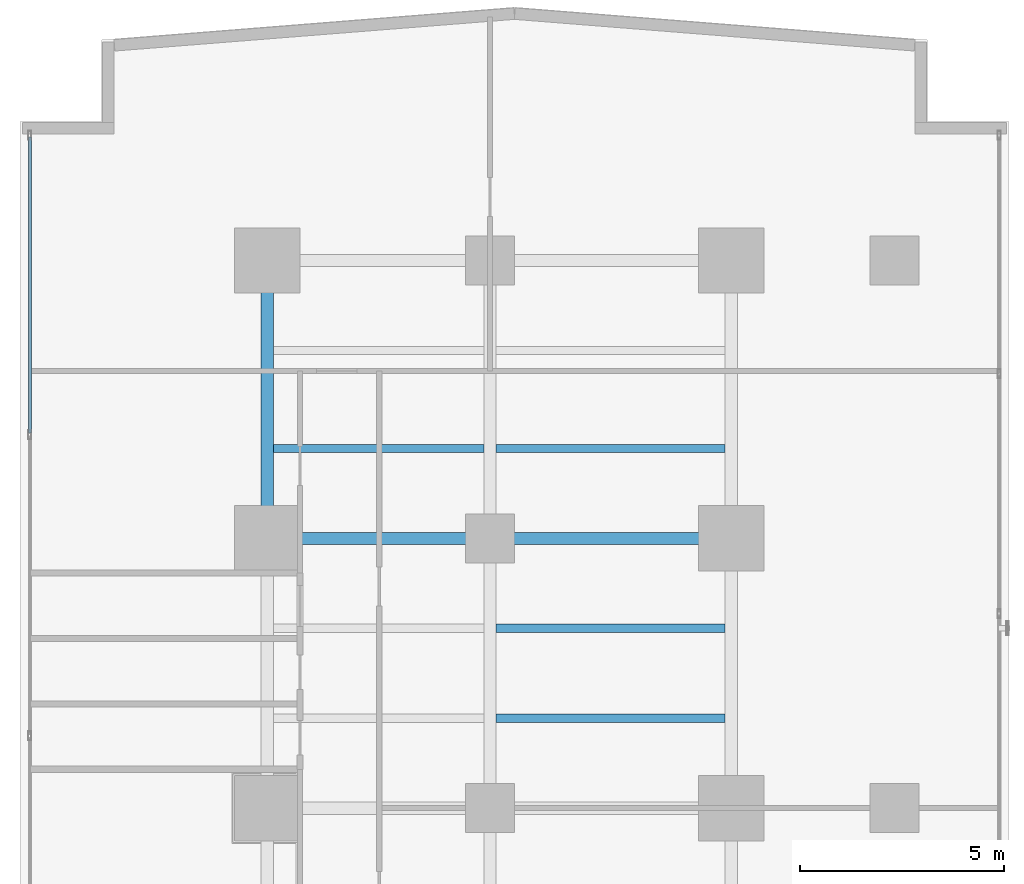
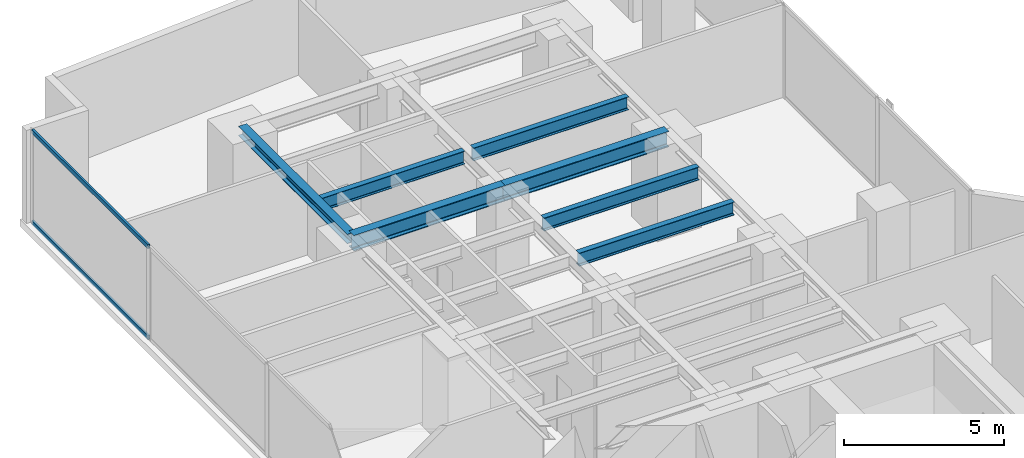
# One storey, part 16 of 31: 7 beams, 2 members, 1 element without a shape of its own.
"""IFC4 building model written with IfcOpenShell, lengths in metres."""

from ifc_helpers import new_model, si_unit, direction, frame, origin, origin_with_axes, origin_2d, place, context, subcontext, project, spatial, hollow_rectangle, i_section, extrude, source, transform, mapped, material, layer, layer_set, material_profile, profile_set, type_object, element, aggregate, save


model = new_model("IFC4")

# Units and contexts
model_context = context("Model", 3, precision=1e-05, world=origin(), true_north=direction((0.0, 1.0)))
body_context = subcontext(model_context, "Body", "Model", "MODEL_VIEW")
ifc_project = project(units=[si_unit("LENGTHUNIT", "METRE"), si_unit("AREAUNIT", "SQUARE_METRE"), si_unit("VOLUMEUNIT", "CUBIC_METRE"), si_unit("PLANEANGLEUNIT", "RADIAN"), si_unit("MASSUNIT", "GRAM", prefix="KILO")], contexts=[model_context])

# Site, building, storey
site_placement = place(None, origin())
site = spatial("IfcSite", under=ifc_project, at=site_placement, CompositionType="ELEMENT")
building_placement = place(site_placement, origin())
building = spatial("IfcBuilding", under=site, at=building_placement, Name="Kolvaren Waterfront Exchange", CompositionType="ELEMENT")
storey_placement = place(building_placement, frame((0.0, 0.0, 67.60009765625)))
storey = spatial("IfcBuildingStorey", under=building, at=storey_placement, Name="L17", CompositionType="ELEMENT", Elevation=67.60009765625)

# Beams
ifc_material_1 = material(Name="Steel S355", Category="steel")
ifc_material_profile_1 = material_profile(ifc_material_1, i_section(OverallWidth=0.300048828125, OverallDepth=0.360107421875, WebThickness=0.012451171875, FlangeThickness=0.0224609375, FilletRadius=0.027099609375, at=origin_2d()), Name="HEB360")
ifc_profile_set_1 = profile_set([ifc_material_profile_1], Name="Steel S355")
beam_type_1 = type_object("IfcBeamType", Name="STR-BM-HEB360", PredefinedType="SPANDREL", material=ifc_profile_set_1)
beam_1_placement = place(storey_placement, frame((7.449951171875, 37.800048828125, 3.35986328125), z_axis=(0.0, 1.0, 0.0), x_axis=(-1.0, 0.0, 0.0)))
element("IfcBeam", 1, at=beam_1_placement, inside=storey, type_object=beam_type_1, Name="L17 north-arm edge beam 3", PredefinedType="SPANDREL", context=body_context, shape_type="SweptSolid", body=[
    extrude(i_section(OverallWidth=0.300048828125, OverallDepth=0.360107421875, WebThickness=0.012451171875, FlangeThickness=0.0224609375, FilletRadius=0.027099609375, at=origin_2d()), origin(), (0.0, 0.0, 1.0), 6.800048828125),
])
ifc_material_profile_2 = material_profile(ifc_material_1, i_section(OverallWidth=0.300048828125, OverallDepth=0.60009765625, WebThickness=0.015380859375, FlangeThickness=0.030029296875, FilletRadius=0.027099609375, at=origin_2d()), Name="HEB600")
ifc_profile_set_2 = profile_set([ifc_material_profile_2], Name="Steel S355")
beam_type_2 = type_object("IfcBeamType", Name="STR-BM-HEB600", PredefinedType="BEAM", material=ifc_profile_set_2)
beam_2_placement = place(storey_placement, frame((7.449951171875, 37.800048828125, 3.239990234375), z_axis=(1.0, 0.0, 0.0), x_axis=(0.0, 1.0, 0.0)))
element("IfcBeam", 2, at=beam_2_placement, inside=storey, type_object=beam_type_2, Name="L17 north-arm girder 3A", PredefinedType="BEAM", context=body_context, shape_type="SweptSolid", body=[
    extrude(i_section(OverallWidth=0.300048828125, OverallDepth=0.60009765625, WebThickness=0.015380859375, FlangeThickness=0.030029296875, FilletRadius=0.027099609375, at=origin_2d()), origin(), (0.0, 0.0, 1.0), 5.449951171875),
])
beam_3_placement = place(storey_placement, frame((12.89990234375, 37.800048828125, 3.239990234375), z_axis=(1.0, 0.0, 0.0), x_axis=(0.0, 1.0, 0.0)))
element("IfcBeam", 3, at=beam_3_placement, inside=storey, type_object=beam_type_2, Name="L17 north-arm girder 3B", PredefinedType="BEAM", context=body_context, shape_type="SweptSolid", body=[
    extrude(i_section(OverallWidth=0.300048828125, OverallDepth=0.60009765625, WebThickness=0.015380859375, FlangeThickness=0.030029296875, FilletRadius=0.027099609375, at=origin_2d()), origin(), (0.0, 0.0, 1.0), 5.900146484375),
])
ifc_material_profile_3 = material_profile(ifc_material_1, i_section(OverallWidth=0.199951171875, OverallDepth=0.5, WebThickness=0.01025390625, FlangeThickness=0.01611328125, FilletRadius=0.02099609375, at=origin_2d()), Name="IPE500")
ifc_profile_set_3 = profile_set([ifc_material_profile_3], Name="Steel S355")
beam_type_3 = type_object("IfcBeamType", Name="STR-BM-IPE500", PredefinedType="JOIST", material=ifc_profile_set_3)
for number, where, z_axis, x_axis, name in (
    (4, (13.052001953125, 33.39990234375, 3.289794921875), (1.0, 0.0, 0.0), (0.0, 1.0, 0.0), "L17 north-arm composite joist 3B"),
    (5, (13.052001953125, 35.60009765625, 3.289794921875), (1.0, 0.0, 0.0), (0.0, 1.0, 0.0), "L17 north-arm composite joist 4B"),
):
    element("IfcBeam", number, at=place(storey_placement, frame(where, z_axis=z_axis, x_axis=x_axis)), inside=storey, type_object=beam_type_3, Name=name, PredefinedType="JOIST", context=body_context, shape_type="SweptSolid", body=[
        extrude(i_section(OverallWidth=0.199951171875, OverallDepth=0.5, WebThickness=0.01025390625, FlangeThickness=0.01611328125, FilletRadius=0.02099609375, at=origin_2d()), origin(), (0.0, 0.0, 1.0), 5.595947265625),
    ])
beam_4_placement = place(storey_placement, frame((7.60205078125, 40.0, 3.289794921875), z_axis=(1.0, 0.0, 0.0), x_axis=(0.0, 1.0, 0.0)))
element("IfcBeam", 6, at=beam_4_placement, inside=storey, type_object=beam_type_3, Name="L17 north-arm composite joist 5A", PredefinedType="JOIST", context=body_context, shape_type="SweptSolid", body=[
    extrude(i_section(OverallWidth=0.199951171875, OverallDepth=0.5, WebThickness=0.01025390625, FlangeThickness=0.01611328125, FilletRadius=0.02099609375, at=origin_2d()), origin(), (0.0, 0.0, 1.0), 5.14599609375),
])
beam_5_placement = place(storey_placement, frame((13.052001953125, 40.0, 3.289794921875), z_axis=(1.0, 0.0, 0.0), x_axis=(0.0, 1.0, 0.0)))
element("IfcBeam", 7, at=beam_5_placement, inside=storey, type_object=beam_type_3, Name="L17 north-arm composite joist 5B", PredefinedType="JOIST", context=body_context, shape_type="SweptSolid", body=[
    extrude(i_section(OverallWidth=0.199951171875, OverallDepth=0.5, WebThickness=0.01025390625, FlangeThickness=0.01611328125, FilletRadius=0.02099609375, at=origin_2d()), origin(), (0.0, 0.0, 1.0), 5.595947265625),
])

# Curtain wall, members
ifc_material_2 = material(Name="Anodised aluminium 6063-T6", Category="aluminium")
ifc_layer = layer(ifc_material_2, 0.219970703125, Name="Anodised aluminium 6063-T6")
ifc_layer_set = layer_set([ifc_layer], Name="Anodised aluminium 6063-T6")
curtain_wall_type = type_object("IfcCurtainWallType", Name="ARC-CW-SYS2", PredefinedType="USERDEFINED", material=ifc_layer_set)
curtain_wall_placement = place(storey_placement, origin())
curtain_wall = element("IfcCurtainWall", 8, at=curtain_wall_placement, inside=storey, type_object=curtain_wall_type, Name="L17 stick curtain wall CW2 (CW-L17-W)", ObjectType="STICK CURTAIN WALL", PredefinedType="USERDEFINED")
ifc_material_profile_4 = material_profile(ifc_material_2, hollow_rectangle(XDim=0.074951171875, YDim=0.159912109375, WallThickness=0.00439453125, at=origin_2d()), Name="ALU-TRN-160x75x4.5")
ifc_profile_set_4 = profile_set([ifc_material_profile_4], Name="Anodised aluminium 6063-T6")
member_type = type_object("IfcMemberType", Name="ARC-CWT-160", PredefinedType="USERDEFINED", material=ifc_profile_set_4)
shared_shape = source(origin_with_axes(), body_context, "Body", "SweptSolid", [
    extrude(hollow_rectangle(XDim=0.074951171875, YDim=0.159912109375, WallThickness=0.00439453125, at=origin_2d()), origin(), (0.0, 0.0, 1.0), 7.246826171875),
])
member_1_placement = place(storey_placement, frame((1.639892578125, 40.373291015625, 0.037353515625), z_axis=(0.0, 1.0, 0.0), x_axis=(-1.0, 0.0, 0.0)))
member_1 = element("IfcMember", 9, at=member_1_placement, type_object=member_type, Name="CW2 transom 6.1", ObjectType="TRANSOM", PredefinedType="USERDEFINED", context=body_context, shape_type="MappedRepresentation", body=[
    mapped(shared_shape, transform((0.0, 0.0, 0.0), x_axis=(1.0, 0.0, 0.0), y_axis=(0.0, 1.0, 0.0), z_axis=(0.0, 0.0, 1.0), scale=1.0)),
])
member_2_placement = place(storey_placement, frame((1.639892578125, 40.373291015625, 3.50244140625), z_axis=(0.0, 1.0, 0.0), x_axis=(-1.0, 0.0, 0.0)))
member_2 = element("IfcMember", 10, at=member_2_placement, type_object=member_type, Name="CW2 transom 6.2", ObjectType="TRANSOM", PredefinedType="USERDEFINED", context=body_context, shape_type="MappedRepresentation", body=[
    mapped(shared_shape, transform((0.0, 0.0, 0.0), x_axis=(1.0, 0.0, 0.0), y_axis=(0.0, 1.0, 0.0), z_axis=(0.0, 0.0, 1.0), scale=1.0)),
])
aggregate(curtain_wall, [member_1, member_2])

save(model, "model.ifc")
